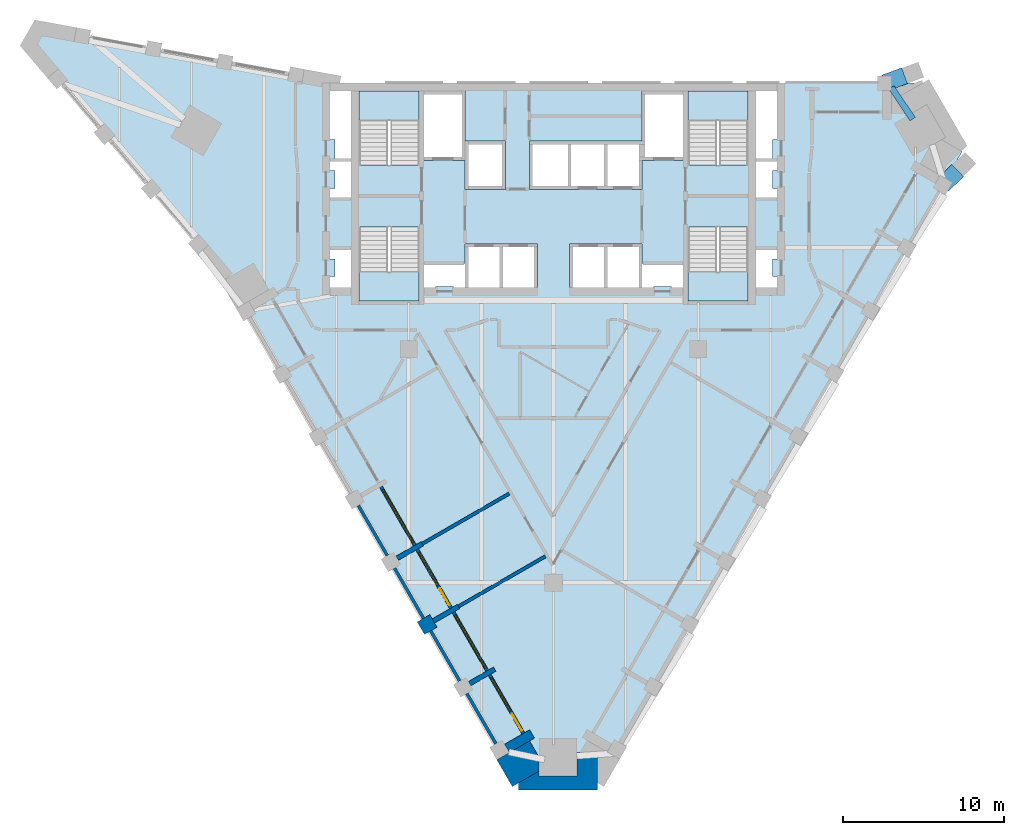
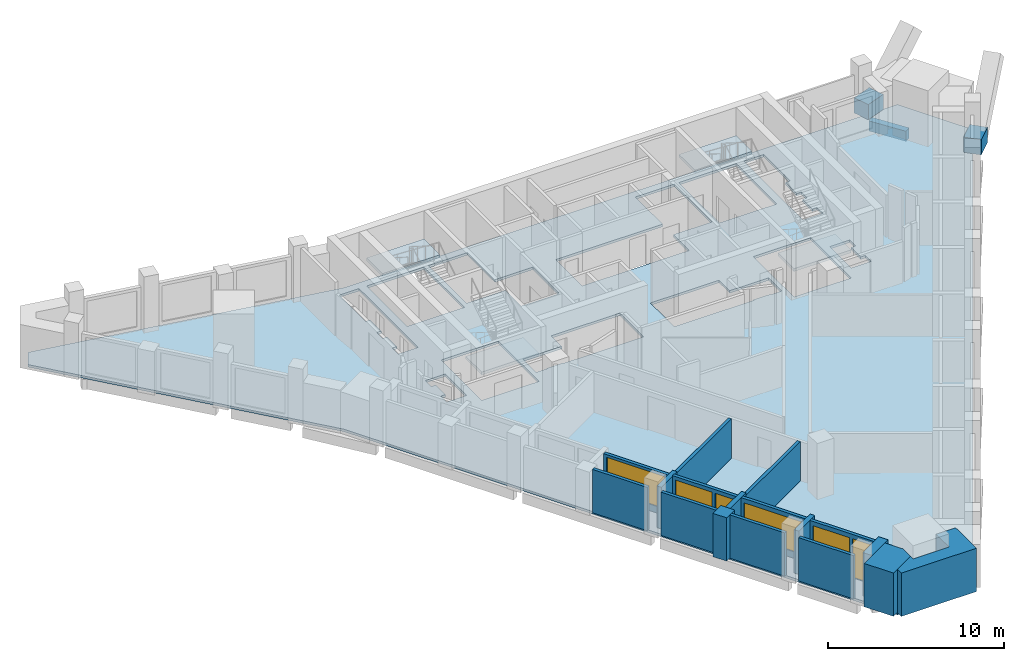
# One storey, part 2 of 9: 17 walls, 5 slabs, 4 windows, 3 beams, 2 doors, 6 openings, 4 elements without a shape of their own.
"""IFC4 building model written with IfcOpenShell, lengths in metres."""

from ifc_helpers import new_model, si_unit, direction, frame, frame_2d, origin, origin_2d, place, context, subcontext, project, spatial, polyline, rectangle, outline, extrude, material, layer, layer_set, material_profile, profile_set, type_object, element, fill, aggregate, save


model = new_model("IFC4")

# Units and contexts
model_context = context("Model", 3, precision=1e-05, world=origin(), true_north=direction((0.0, 1.0)))
body_context = subcontext(model_context, "Body", "Model", "MODEL_VIEW")
ifc_project = project(units=[si_unit("LENGTHUNIT", "METRE"), si_unit("AREAUNIT", "SQUARE_METRE"), si_unit("VOLUMEUNIT", "CUBIC_METRE"), si_unit("PLANEANGLEUNIT", "RADIAN"), si_unit("MASSUNIT", "GRAM", prefix="KILO")], contexts=[model_context])

# Site, building, storey
site_placement = place(None, origin())
site = spatial("IfcSite", under=ifc_project, at=site_placement, CompositionType="ELEMENT")
building_placement = place(site_placement, origin())
building = spatial("IfcBuilding", under=site, at=building_placement, Name="Calabash Gate Tower", CompositionType="ELEMENT")
storey_placement = place(building_placement, frame((0.0, 0.0, 231.5)))
storey = spatial("IfcBuildingStorey", under=building, at=storey_placement, Name="L55", CompositionType="ELEMENT", Elevation=231.5)

# Beams
ifc_material_1 = material(Name="Concrete C50/60", Category="concrete")
ifc_material_profile_1 = material_profile(ifc_material_1, rectangle(XDim=0.39990234375, YDim=0.699951171875, at=origin_2d()))
ifc_profile_set_1 = profile_set([ifc_material_profile_1], Name="Concrete C50/60")
beam_type_1 = type_object("IfcBeamType", Name="Edge beam RC 400x700 Concrete C50/60", PredefinedType="BEAM", material=ifc_profile_set_1)
beam_1_placement = place(storey_placement, frame((22.325927734375, 16.821044921875, -0.52001953125), z_axis=(-0.556658779258, 0.830741237375, 0.0), x_axis=(-0.830741237375, -0.556658779258, 0.0)))
element("IfcBeam", 1, at=beam_1_placement, inside=storey, type_object=beam_type_1, Name="Edge beam L55 12", PredefinedType="BEAM", context=body_context, shape_type="SweptSolid", body=[
    extrude(rectangle(XDim=0.39990234375, YDim=0.699951171875, at=origin_2d()), origin(), (0.0, 0.0, 1.0), 2.35693359375),
])
ifc_material_2 = material(Name="Concrete C80/95", Category="concrete")
ifc_material_profile_2 = material_profile(ifc_material_2, rectangle(XDim=1.050048828125, YDim=1.050048828125, at=origin_2d()))
ifc_profile_set_2 = profile_set([ifc_material_profile_2], Name="Concrete C80/95")
beam_type_2 = type_object("IfcBeamType", Name="Transfer node RC 1050x1050 Concrete C80/95", PredefinedType="BEAM", material=ifc_profile_set_2)
beam_2_placement = place(storey_placement, frame((24.196044921875, 12.708984375, 0.527099609375), z_axis=(0.715875786341, 0.698227655232, 0.0), x_axis=(-0.698227655232, 0.715875786341, 0.0)))
element("IfcBeam", 2, at=beam_2_placement, inside=storey, type_object=beam_type_2, Name="Transfer node L58 prow foot P37", PredefinedType="BEAM", context=body_context, shape_type="SweptSolid", body=[
    extrude(rectangle(XDim=1.050048828125, YDim=1.050048828125, at=origin_2d()), origin(), (0.0, 0.0, 1.0), 1.30029296875),
])
beam_3_placement = place(storey_placement, frame((20.576904296875, 19.052978515625, 0.527099609375), z_axis=(0.938718193279, 0.344685586595, 0.0), x_axis=(-0.344685586595, 0.938718193279, 0.0)))
element("IfcBeam", 3, at=beam_3_placement, inside=storey, type_object=beam_type_2, Name="Transfer node L58 prow foot P38", PredefinedType="BEAM", context=body_context, shape_type="SweptSolid", body=[
    extrude(rectangle(XDim=1.050048828125, YDim=1.050048828125, at=origin_2d()), origin(), (0.0, 0.0, 1.0), 1.33154296875),
])

# Slab
ifc_material_3 = material(Name="Concrete C40/50", Category="concrete")
ifc_layer_1 = layer(ifc_material_3, 0.169921875)
ifc_layer_set_1 = layer_set([ifc_layer_1], Name="Composite floor slab 170 Concrete C40/50")
slab_type_1 = type_object("IfcSlabType", Name="Composite floor slab 170 Concrete C40/50", PredefinedType="FLOOR", material=ifc_layer_set_1)
slab_1_placement = place(storey_placement, frame((0.0, 0.0, -0.169921875)))
element("IfcSlab", 4, at=slab_1_placement, inside=storey, type_object=slab_type_1, Name="Floor slab L55", PredefinedType="FLOOR", context=body_context, shape_type="SweptSolid", body=[
    extrude(outline(polyline([(2.740478515625, -24.452880859375), (-2.173095703125, -24.452880859375), (-20.291015625, 6.92822265625), (-32.620361328125, 21.43115234375), (-32.015625, 22.478515625), (-13.291015625, 19.052490234375), (22.94482421875, 19.052490234375), (25.401611328125, 14.79736328125), (2.740478515625, -24.452880859375)]), holes=[polyline([(-7.324951171875, 6.3525390625), (-7.324951171875, 6.402587890625), (-6.22509765625, 6.402587890625), (-6.22509765625, 6.3525390625), (-5.5, 6.3525390625), (-3.25, 6.3525390625), (-1.0, 6.3525390625), (-1.0, 9.052490234375), (-3.25, 9.052490234375), (-5.5, 9.052490234375), (-5.5, 7.8525390625), (-8.050048828125, 7.8525390625), (-8.050048828125, 6.3525390625), (-7.324951171875, 6.3525390625)]), polyline([(8.050048828125, 6.3525390625), (8.050048828125, 7.8525390625), (5.5, 7.8525390625), (5.5, 9.052490234375), (3.25, 9.052490234375), (1.0, 9.052490234375), (1.0, 6.3525390625), (3.25, 6.3525390625), (5.5, 6.3525390625), (6.22509765625, 6.3525390625), (6.22509765625, 6.402587890625), (7.324951171875, 6.402587890625), (7.324951171875, 6.3525390625), (8.050048828125, 6.3525390625)]), polyline([(-8.050048828125, 18.552490234375), (-8.050048828125, 14.252685546875), (-5.5, 14.252685546875), (-5.5, 12.45263671875), (-3.0, 12.45263671875), (-3.0, 15.45263671875), (-5.5, 15.45263671875), (-5.5, 18.552490234375), (-8.050048828125, 18.552490234375)]), polyline([(5.5, 14.252685546875), (8.050048828125, 14.252685546875), (8.050048828125, 18.552490234375), (5.5, 18.552490234375), (5.5, 15.45263671875), (3.25, 15.45263671875), (1.0, 15.45263671875), (-1.5, 15.45263671875), (-1.5, 12.45263671875), (1.0, 12.45263671875), (3.25, 12.45263671875), (5.5, 12.45263671875), (5.5, 14.252685546875)]), polyline([(-12.10009765625, 13.95263671875), (-8.35009765625, 13.95263671875), (-8.35009765625, 18.552490234375), (-12.10009765625, 18.552490234375), (-12.10009765625, 13.95263671875)]), polyline([(-8.35009765625, 5.502685546875), (-8.35009765625, 10.1025390625), (-12.10009765625, 10.1025390625), (-12.10009765625, 5.502685546875), (-8.35009765625, 5.502685546875)]), polyline([(12.10009765625, 18.552490234375), (8.35009765625, 18.552490234375), (8.35009765625, 13.95263671875), (12.10009765625, 13.95263671875), (12.10009765625, 18.552490234375)]), polyline([(8.35009765625, 10.1025390625), (8.35009765625, 5.502685546875), (12.10009765625, 5.502685546875), (12.10009765625, 10.1025390625), (8.35009765625, 10.1025390625)]), polyline([(-13.89990234375, 6.3525390625), (-12.60009765625, 6.3525390625), (-12.60009765625, 8.79248046875), (-13.89990234375, 8.79248046875), (-13.89990234375, 8.12255859375), (-13.60009765625, 8.12255859375), (-13.60009765625, 7.022705078125), (-13.89990234375, 7.022705078125), (-13.89990234375, 6.3525390625)]), polyline([(-13.89990234375, 12.5126953125), (-13.89990234375, 11.842529296875), (-12.60009765625, 11.842529296875), (-12.60009765625, 14.28271484375), (-12.60009765625, 18.552490234375), (-13.89990234375, 18.552490234375), (-13.89990234375, 15.550048828125), (-13.60009765625, 15.550048828125), (-13.60009765625, 14.28271484375), (-13.89990234375, 14.28271484375), (-13.89990234375, 13.612548828125), (-13.60009765625, 13.612548828125), (-13.60009765625, 12.5126953125), (-13.89990234375, 12.5126953125)]), polyline([(13.60009765625, 7.022705078125), (13.60009765625, 8.12255859375), (13.89990234375, 8.12255859375), (13.89990234375, 8.79248046875), (12.60009765625, 8.79248046875), (12.60009765625, 6.3525390625), (13.89990234375, 6.3525390625), (13.89990234375, 7.022705078125), (13.60009765625, 7.022705078125)]), polyline([(13.89990234375, 12.5126953125), (13.60009765625, 12.5126953125), (13.60009765625, 13.612548828125), (13.89990234375, 13.612548828125), (13.89990234375, 14.28271484375), (13.60009765625, 14.28271484375), (13.60009765625, 15.550048828125), (13.89990234375, 15.550048828125), (13.89990234375, 18.552490234375), (12.60009765625, 18.552490234375), (12.60009765625, 14.28271484375), (12.60009765625, 11.842529296875), (13.89990234375, 11.842529296875), (13.89990234375, 12.5126953125)])]), origin(), (0.0, 0.0, 1.0), 0.169921875),
])

# Stair, slab
ifc_material_4 = material(Name="Concrete C40/50", Category="concrete")
stair_type = type_object("IfcStairType", Name="Exit stair 22 risers of 177.3 mm", PredefinedType="HALF_TURN_STAIR", material=ifc_material_4)
stair_1_placement = place(storey_placement, origin())
stair_1 = element("IfcStair", 5, at=stair_1_placement, inside=storey, type_object=stair_type, Name="L55 Exit stair ST1", PredefinedType="HALF_TURN_STAIR")
ifc_material_5 = material(Name="Concrete C40/50", Category="concrete")
ifc_layer_2 = layer(ifc_material_5, 0.199951171875)
ifc_layer_set_2 = layer_set([ifc_layer_2], Name="Stair landing SL200")
slab_type_2 = type_object("IfcSlabType", Name="Stair landing SL200", PredefinedType="LANDING", material=ifc_layer_set_2)
slab_2_placement = place(storey_placement, frame((0.0, 0.0, 1.75)))
slab_2 = element("IfcSlab", 6, at=slab_2_placement, type_object=slab_type_2, Name="ST1 landing 1", PredefinedType="LANDING", context=body_context, shape_type="SweptSolid", body=[
    extrude(outline(polyline([(-8.35009765625, 16.74267578125), (-8.35009765625, 18.552490234375), (-12.10009765625, 18.552490234375), (-12.10009765625, 16.74267578125), (-8.35009765625, 16.74267578125)])), origin(), (0.0, 0.0, 1.0), 0.199951171875),
])
aggregate(stair_1, [slab_2])

stair_2_placement = place(storey_placement, origin())
stair_2 = element("IfcStair", 7, at=stair_2_placement, inside=storey, type_object=stair_type, Name="L55 Exit stair ST2", PredefinedType="HALF_TURN_STAIR")
slab_3_placement = place(storey_placement, frame((0.0, 0.0, 1.75)))
slab_3 = element("IfcSlab", 8, at=slab_3_placement, type_object=slab_type_2, Name="ST2 landing 1", PredefinedType="LANDING", context=body_context, shape_type="SweptSolid", body=[
    extrude(outline(polyline([(-12.10009765625, 7.3125), (-12.10009765625, 5.502685546875), (-8.35009765625, 5.502685546875), (-8.35009765625, 7.3125), (-12.10009765625, 7.3125)])), origin(), (0.0, 0.0, 1.0), 0.199951171875),
])
aggregate(stair_2, [slab_3])

stair_3_placement = place(storey_placement, origin())
stair_3 = element("IfcStair", 9, at=stair_3_placement, inside=storey, type_object=stair_type, Name="L55 Exit stair ST3", PredefinedType="HALF_TURN_STAIR")
slab_4_placement = place(storey_placement, frame((0.0, 0.0, 1.75)))
slab_4 = element("IfcSlab", 10, at=slab_4_placement, type_object=slab_type_2, Name="ST3 landing 1", PredefinedType="LANDING", context=body_context, shape_type="SweptSolid", body=[
    extrude(outline(polyline([(12.10009765625, 16.74267578125), (12.10009765625, 18.552490234375), (8.35009765625, 18.552490234375), (8.35009765625, 16.74267578125), (12.10009765625, 16.74267578125)])), origin(), (0.0, 0.0, 1.0), 0.199951171875),
])
aggregate(stair_3, [slab_4])

stair_4_placement = place(storey_placement, origin())
stair_4 = element("IfcStair", 11, at=stair_4_placement, inside=storey, type_object=stair_type, Name="L55 Exit stair ST4", PredefinedType="HALF_TURN_STAIR")
slab_5_placement = place(storey_placement, frame((0.0, 0.0, 1.75)))
slab_5 = element("IfcSlab", 12, at=slab_5_placement, type_object=slab_type_2, Name="ST4 landing 1", PredefinedType="LANDING", context=body_context, shape_type="SweptSolid", body=[
    extrude(outline(polyline([(8.35009765625, 7.3125), (8.35009765625, 5.502685546875), (12.10009765625, 5.502685546875), (12.10009765625, 7.3125), (8.35009765625, 7.3125)])), origin(), (0.0, 0.0, 1.0), 0.199951171875),
])
aggregate(stair_4, [slab_5])

# Walls
ifc_material_6 = material(Name="Terracotta brick masonry, exposed face", Category="masonry")
ifc_layer_3 = layer(ifc_material_6, 2.35009765625)
ifc_layer_set_3 = layer_set([ifc_layer_3], Name="Brick corner mass wall 2350")
wall_type_1 = type_object("IfcWallType", Name="Brick corner mass wall 2350", PredefinedType="SOLIDWALL", material=ifc_layer_set_3)
wall_1_placement = place(storey_placement, origin())
element("IfcWall", 13, at=wall_1_placement, inside=storey, type_object=wall_type_1, Name="Brick corner pier S16 2a", PredefinedType="SOLIDWALL", context=body_context, shape_type="SweptSolid", body=[
    extrude(outline(polyline([(-0.89111328125, -22.87353515625), (-1.486572265625, -21.842041015625), (-3.521728515625, -23.01708984375), (-2.562744140625, -24.677978515625), (-0.89111328125, -23.712646484375), (-0.89111328125, -22.87353515625)])), origin(), (0.0, 0.0, 1.0), 3.0),
])
wall_2_placement = place(storey_placement, origin())
element("IfcWall", 14, at=wall_2_placement, inside=storey, type_object=wall_type_1, Name="Brick corner pier S16 2b", PredefinedType="SOLIDWALL", context=body_context, shape_type="SweptSolid", body=[
    extrude(outline(polyline([(1.458984375, -24.011962890625), (-0.89111328125, -24.011962890625), (-0.89111328125, -23.712646484375), (-2.173095703125, -24.452880859375), (-2.173095703125, -24.90283203125), (2.740478515625, -24.90283203125), (2.740478515625, -22.552978515625), (1.458984375, -22.552978515625), (1.458984375, -24.011962890625)])), origin(), (0.0, 0.0, 1.0), 3.0),
])
ifc_material_7 = material(Name="Terracotta brick masonry, exposed face", Category="masonry")
ifc_layer_4 = layer(ifc_material_7, 0.89990234375)
ifc_layer_set_4 = layer_set([ifc_layer_4], Name="Brick end wall 900")
wall_type_2 = type_object("IfcWallType", Name="Brick end wall 900", PredefinedType="SOLIDWALL", material=ifc_layer_set_4)
wall_3_placement = place(storey_placement, frame((-7.46728515625, -14.383056640625, 0.0), z_axis=(0.0, 0.0, 1.0), x_axis=(-0.866013897511, -0.50001992892, 0.0)))
element("IfcWall", 15, at=wall_3_placement, inside=storey, type_object=wall_type_2, Name="Brick pier S16 SW0.5", PredefinedType="SOLIDWALL", context=body_context, shape_type="SweptSolid", body=[
    extrude(rectangle(XDim=0.89990234375, YDim=0.89990234375, at=frame_2d((0.449951171875, 0.0))), origin(), (0.0, 0.0, 1.0), 3.0),
])
ifc_material_8 = material(Name="Terracotta brick masonry, exposed face", Category="masonry")
ifc_layer_5 = layer(ifc_material_8, 0.300048828125)
ifc_layer_set_5 = layer_set([ifc_layer_5], Name="Brick loggia cheek wall 300")
wall_type_3 = type_object("IfcWallType", Name="Brick loggia cheek wall 300", PredefinedType="SOLIDWALL", material=ifc_layer_set_5)
wall_4_placement = place(storey_placement, frame((-9.71728515625, -10.48583984375, 0.0), z_axis=(0.0, 0.0, 1.0), x_axis=(0.866047807691, 0.499961193289, 0.0)))
element("IfcWall", 16, at=wall_4_placement, inside=storey, type_object=wall_type_3, Name="Loggia cheek S16 SW0.4", PredefinedType="SOLIDWALL", context=body_context, shape_type="SweptSolid", body=[
    extrude(rectangle(XDim=1.800048828125, YDim=0.300048828125, at=frame_2d((0.89990234375, 0.0))), origin(), (0.0, 0.0, 1.0), 2.884033203125),
])
wall_5_placement = place(storey_placement, frame((-7.46728515625, -14.383056640625, 0.0), z_axis=(0.0, 0.0, 1.0), x_axis=(0.865989075817, 0.500062916607, 0.0)))
element("IfcWall", 17, at=wall_5_placement, inside=storey, type_object=wall_type_3, Name="Loggia cheek S16 SW0.5", PredefinedType="SOLIDWALL", context=body_context, shape_type="SweptSolid", body=[
    extrude(rectangle(XDim=1.800048828125, YDim=0.300048828125, at=frame_2d((0.89990234375, 0.0))), origin(), (0.0, 0.0, 1.0), 3.0),
])
wall_6_placement = place(storey_placement, frame((-3.658447265625, -17.380126953125, 0.0), z_axis=(0.0, 0.0, 1.0), x_axis=(-0.866029639064, -0.499992664208, 0.0)))
element("IfcWall", 18, at=wall_6_placement, inside=storey, type_object=wall_type_3, Name="Loggia cheek S16 SW0.6", PredefinedType="SOLIDWALL", context=body_context, shape_type="SweptSolid", body=[
    extrude(rectangle(XDim=1.798828125, YDim=0.300048828125, at=frame_2d((0.8994140625, 0.0))), origin(), (0.0, 0.0, 1.0), 3.0),
])
wall_7_placement = place(storey_placement, frame((-1.33349609375, -21.4072265625, 0.0), z_axis=(0.0, 0.0, 1.0), x_axis=(-0.866047807691, -0.499961193289, 0.0)))
element("IfcWall", 19, at=wall_7_placement, inside=storey, type_object=wall_type_3, Name="Loggia cheek S16 SW0.7", PredefinedType="SOLIDWALL", context=body_context, shape_type="SweptSolid", body=[
    extrude(rectangle(XDim=1.800048828125, YDim=0.60009765625, at=frame_2d((0.89990234375, 0.0))), origin(), (0.0, 0.0, 1.0), 3.0),
])
ifc_material_9 = material(Name="Gypsum board on steel studs, mineral wool", Category="steel")
ifc_layer_6 = layer(ifc_material_9, 0.199951171875)
ifc_layer_set_6 = layer_set([ifc_layer_6], Name="Partition 200 gypsum board EI 60")
wall_type_4 = type_object("IfcWallType", Name="Partition 200 gypsum board EI 60", PredefinedType="PARTITIONING", material=ifc_layer_set_6)
wall_8_placement = place(storey_placement, frame((-5.908203125, -13.4833984375, 0.0), z_axis=(0.0, 0.0, 1.0), x_axis=(0.866160870949, 0.499765290549, 0.0)))
element("IfcWall", 20, at=wall_8_placement, inside=storey, type_object=wall_type_4, Name="Partition", PredefinedType="PARTITIONING", context=body_context, shape_type="SweptSolid", body=[
    extrude(rectangle(XDim=6.24951171875, YDim=0.199951171875, at=frame_2d((3.124755859375, 0.0))), origin(), (0.0, 0.0, 1.0), 2.74169921875),
])
wall_9_placement = place(storey_placement, frame((-8.158203125, -9.586181640625, 0.0), z_axis=(0.0, 0.0, 1.0), x_axis=(0.866153717883, 0.499777687575, 0.0)))
element("IfcWall", 21, at=wall_9_placement, inside=storey, type_object=wall_type_4, Name="Partition", PredefinedType="PARTITIONING", context=body_context, shape_type="SweptSolid", body=[
    extrude(rectangle(XDim=6.249755859375, YDim=0.199951171875, at=frame_2d((3.125, 0.0))), origin(), (0.0, 0.0, 1.0), 2.74169921875),
])
ifc_material_10 = material(Name="Terracotta brick masonry, perforated", Category="masonry")
ifc_layer_7 = layer(ifc_material_10, 0.199951171875)
ifc_layer_set_7 = layer_set([ifc_layer_7], Name="Terracotta jaali screen B")
wall_type_5 = type_object("IfcWallType", Name="Terracotta jaali screen B", PredefinedType="SOLIDWALL", material=ifc_layer_set_7)
for number, where, z_axis, x_axis, name in (
    (22, (-12.132080078125, -7.20361328125, 0.0), (0.0, 0.0, 1.0), (0.500012057535, -0.866018442252, 0.0), "SCREEN B S16 SW0.4"),
    (23, (-9.882080078125, -11.1005859375, 0.0), (0.0, 0.0, 1.0), (0.500012057535, -0.866018442252, 0.0), "SCREEN B S16 SW0.5"),
):
    element("IfcWall", number, at=place(storey_placement, frame(where, z_axis=z_axis, x_axis=x_axis)), inside=storey, type_object=wall_type_5, Name=name, PredefinedType="SOLIDWALL", context=body_context, shape_type="SweptSolid", body=[
        extrude(rectangle(XDim=3.60009765625, YDim=0.199951171875, at=frame_2d((1.800048828125, 0.0))), origin(), (0.0, 0.0, 1.0), 3.0),
    ])
wall_10_placement = place(storey_placement, origin())
element("IfcWall", 24, at=wall_10_placement, inside=storey, type_object=wall_type_5, Name="SCREEN B S16 SW0.6", PredefinedType="SOLIDWALL", context=body_context, shape_type="SweptSolid", body=[
    extrude(outline(polyline([(-7.718505859375, -15.0478515625), (-5.91943359375, -18.163818359375), (-5.746337890625, -18.063720703125), (-7.54541015625, -14.94775390625), (-7.718505859375, -15.0478515625)])), origin(), (0.0, 0.0, 1.0), 3.0),
])
wall_11_placement = place(storey_placement, frame((-5.382080078125, -18.894775390625, 0.0), z_axis=(0.0, 0.0, 1.0), x_axis=(0.500012057535, -0.866018442252, 0.0)))
element("IfcWall", 25, at=wall_11_placement, inside=storey, type_object=wall_type_5, Name="SCREEN B S16 SW0.7", PredefinedType="SOLIDWALL", context=body_context, shape_type="SweptSolid", body=[
    extrude(rectangle(XDim=3.60009765625, YDim=0.199951171875, at=frame_2d((1.800048828125, 0.0))), origin(), (0.0, 0.0, 1.0), 3.0),
])

# Wall, opening, window
ifc_material_11 = material(Name="Aluminium framed window wall with insulated spandrel", Category="aluminium")
ifc_layer_8 = layer(ifc_material_11, 0.199951171875)
ifc_layer_set_8 = layer_set([ifc_layer_8], Name="Window wall 200")
wall_type_6 = type_object("IfcWallType", Name="Window wall 200", PredefinedType="ELEMENTEDWALL", material=ifc_layer_set_8)
wall_12_placement = place(storey_placement, frame((-10.72314453125, -6.043701171875, 0.0), z_axis=(0.0, 0.0, 1.0), x_axis=(0.500027713859, -0.866009402589, 0.0)))
wall_12 = element("IfcWall", 26, at=wall_12_placement, inside=storey, type_object=wall_type_6, Name="Window wall S16 SW0.4", PredefinedType="ELEMENTEDWALL", context=body_context, shape_type="SweptSolid", body=[
    extrude(rectangle(XDim=4.199951171875, YDim=0.199951171875, at=frame_2d((2.10009765625, 0.0))), origin(), (0.0, 0.0, 1.0), 2.884033203125),
])
opening_1_placement = place(wall_12_placement, frame((0.199951171875, 0.0, 0.449951171875)))
opening_1 = element("IfcOpeningElement", 27, at=opening_1_placement, cuts=wall_12, Name="Opening OW2", PredefinedType="OPENING", context=body_context, shape_type="SweptSolid", body=[
    extrude(rectangle(XDim=3.800048828125, YDim=2.25, at=frame_2d((1.89990234375, 1.125))), frame((0.0, 0.10986328125, 0.0), z_axis=(0.0, -1.0, 0.0), x_axis=(1.0, 0.0, 0.0)), (0.0, 0.0, 1.0), 0.219970703125),
])
ifc_material_12 = material(Name="Anodised aluminium frame, bronze finish, impact-rated laminated clear glazing", Category="aluminium")
window_type_1 = type_object("IfcWindowType", Name="Window OW2 3800x2250", PartitioningType="TRIPLE_PANEL_VERTICAL", PredefinedType="WINDOW", material=ifc_material_12)
window_1_placement = place(opening_1_placement, origin())
window_1 = element("IfcWindow", 28, at=window_1_placement, inside=storey, type_object=window_type_1, Name="Window OW2 S16 SW0.4", OverallHeight=2.25, OverallWidth=3.800048828125, PartitioningType="SINGLE_PANEL", PredefinedType="WINDOW", context=body_context, shape_type="SweptSolid", body=[
    extrude(rectangle(XDim=3.800048828125, YDim=2.25, at=frame_2d((1.89990234375, 1.125))), frame((0.0, 0.030029296875, 0.0), z_axis=(0.0, -1.0, 0.0), x_axis=(1.0, 0.0, 0.0)), (0.0, 0.0, 1.0), 0.06005859375),
])
fill(opening_1, window_1)

# Wall, openings, door, window
wall_13_placement = place(storey_placement, frame((-8.47314453125, -9.94091796875, 0.0), z_axis=(0.0, 0.0, 1.0), x_axis=(0.500027713859, -0.866009402589, 0.0)))
wall_13 = element("IfcWall", 29, at=wall_13_placement, inside=storey, type_object=wall_type_6, Name="Window wall S16 SW0.5", PredefinedType="ELEMENTEDWALL", context=body_context, shape_type="SweptSolid", body=[
    extrude(rectangle(XDim=4.199951171875, YDim=0.199951171875, at=frame_2d((2.10009765625, 0.0))), origin(), (0.0, 0.0, 1.0), 2.9501953125),
])
opening_2_placement = place(wall_13_placement, frame((0.199951171875, 0.0, 0.449951171875)))
opening_2 = element("IfcOpeningElement", 30, at=opening_2_placement, cuts=wall_13, Name="Opening OW1", PredefinedType="OPENING", context=body_context, shape_type="SweptSolid", body=[
    extrude(rectangle(XDim=2.39990234375, YDim=2.25, at=frame_2d((1.199951171875, 1.125))), frame((0.0, 0.10986328125, 0.0), z_axis=(0.0, -1.0, 0.0), x_axis=(1.0, 0.0, 0.0)), (0.0, 0.0, 1.0), 0.219970703125),
])
opening_3_placement = place(wall_13_placement, frame((2.800048828125, 0.0, 0.0)))
opening_3 = element("IfcOpeningElement", 31, at=opening_3_placement, cuts=wall_13, Name="Opening O8-028", PredefinedType="OPENING", context=body_context, shape_type="SweptSolid", body=[
    extrude(rectangle(XDim=1.199951171875, YDim=2.699951171875, at=frame_2d((0.60009765625, 1.35009765625))), frame((0.0, 0.10986328125, 0.0), z_axis=(0.0, -1.0, 0.0), x_axis=(1.0, 0.0, 0.0)), (0.0, 0.0, 1.0), 0.219970703125),
])
ifc_material_13 = material(Name="Anodised aluminium frame, bronze finish, impact-rated laminated clear glazing", Category="aluminium")
door_type = type_object("IfcDoorType", Name="Loggia door DO1 1200x2700", OperationType="SLIDING_TO_LEFT", PredefinedType="DOOR", material=ifc_material_13)
door_1_placement = place(opening_3_placement, origin())
door_1 = element("IfcDoor", 32, at=door_1_placement, inside=storey, type_object=door_type, Name="Loggia door S16 SW0.5", OperationType="SINGLE_SWING_LEFT", OverallHeight=2.699951171875, OverallWidth=1.199951171875, PredefinedType="DOOR", context=body_context, shape_type="SweptSolid", body=[
    extrude(rectangle(XDim=1.199951171875, YDim=2.699951171875, at=frame_2d((0.60009765625, 1.35009765625))), frame((0.0, 0.02490234375, 0.0), z_axis=(0.0, -1.0, 0.0), x_axis=(1.0, 0.0, 0.0)), (0.0, 0.0, 1.0), 0.050048828125),
])
fill(opening_3, door_1)
ifc_material_14 = material(Name="Anodised aluminium frame, bronze finish, impact-rated laminated clear glazing", Category="aluminium")
window_type_2 = type_object("IfcWindowType", Name="Window OW1 2400x2250", PartitioningType="DOUBLE_PANEL_VERTICAL", PredefinedType="WINDOW", material=ifc_material_14)
window_2_placement = place(opening_2_placement, origin())
window_2 = element("IfcWindow", 33, at=window_2_placement, inside=storey, type_object=window_type_2, Name="Window OW1 S16 SW0.5", OverallHeight=2.25, OverallWidth=2.39990234375, PartitioningType="SINGLE_PANEL", PredefinedType="WINDOW", context=body_context, shape_type="SweptSolid", body=[
    extrude(rectangle(XDim=2.39990234375, YDim=2.25, at=frame_2d((1.199951171875, 1.125))), frame((0.0, 0.030029296875, 0.0), z_axis=(0.0, -1.0, 0.0), x_axis=(1.0, 0.0, 0.0)), (0.0, 0.0, 1.0), 0.06005859375),
])
fill(opening_2, window_2)

# Wall, opening, window
wall_14_placement = place(storey_placement, frame((-6.22314453125, -13.837890625, 0.0), z_axis=(0.0, 0.0, 1.0), x_axis=(0.500002543286, -0.866023935413, 0.0)))
wall_14 = element("IfcWall", 34, at=wall_14_placement, inside=storey, type_object=wall_type_6, Name="Window wall S16 SW0.6", PredefinedType="ELEMENTEDWALL", context=body_context, shape_type="SweptSolid", body=[
    extrude(rectangle(XDim=4.2001953125, YDim=0.199951171875, at=frame_2d((2.10009765625, 0.0))), origin(), (0.0, 0.0, 1.0), 3.0),
])
opening_4_placement = place(wall_14_placement, frame((0.199951171875, 0.0, 0.449951171875)))
opening_4 = element("IfcOpeningElement", 35, at=opening_4_placement, cuts=wall_14, Name="Opening OW2", PredefinedType="OPENING", context=body_context, shape_type="SweptSolid", body=[
    extrude(rectangle(XDim=3.800048828125, YDim=2.25, at=frame_2d((1.89990234375, 1.125))), frame((0.0, 0.10986328125, 0.0), z_axis=(0.0, -1.0, 0.0), x_axis=(1.0, 0.0, 0.0)), (0.0, 0.0, 1.0), 0.219970703125),
])
window_3_placement = place(opening_4_placement, origin())
window_3 = element("IfcWindow", 36, at=window_3_placement, inside=storey, type_object=window_type_1, Name="Window OW2 S16 SW0.6", OverallHeight=2.25, OverallWidth=3.800048828125, PartitioningType="SINGLE_PANEL", PredefinedType="WINDOW", context=body_context, shape_type="SweptSolid", body=[
    extrude(rectangle(XDim=3.800048828125, YDim=2.25, at=frame_2d((1.89990234375, 1.125))), frame((0.0, 0.030029296875, 0.0), z_axis=(0.0, -1.0, 0.0), x_axis=(1.0, 0.0, 0.0)), (0.0, 0.0, 1.0), 0.06005859375),
])
fill(opening_4, window_3)

# Wall, openings, door, window
wall_15_placement = place(storey_placement, frame((-3.97314453125, -17.735107421875, 0.0), z_axis=(0.0, 0.0, 1.0), x_axis=(0.500027713859, -0.866009402589, 0.0)))
wall_15 = element("IfcWall", 37, at=wall_15_placement, inside=storey, type_object=wall_type_6, Name="Window wall S16 SW0.7", PredefinedType="ELEMENTEDWALL", context=body_context, shape_type="SweptSolid", body=[
    extrude(rectangle(XDim=4.199951171875, YDim=0.199951171875, at=frame_2d((2.10009765625, 0.0))), origin(), (0.0, 0.0, 1.0), 3.0),
])
opening_5_placement = place(wall_15_placement, frame((0.199951171875, 0.0, 0.449951171875)))
opening_5 = element("IfcOpeningElement", 38, at=opening_5_placement, cuts=wall_15, Name="Opening OW1", PredefinedType="OPENING", context=body_context, shape_type="SweptSolid", body=[
    extrude(rectangle(XDim=2.39990234375, YDim=2.25, at=frame_2d((1.199951171875, 1.125))), frame((0.0, 0.10986328125, 0.0), z_axis=(0.0, -1.0, 0.0), x_axis=(1.0, 0.0, 0.0)), (0.0, 0.0, 1.0), 0.219970703125),
])
opening_6_placement = place(wall_15_placement, frame((2.800048828125, 0.0, 0.0)))
opening_6 = element("IfcOpeningElement", 39, at=opening_6_placement, cuts=wall_15, Name="Opening O8-029", PredefinedType="OPENING", context=body_context, shape_type="SweptSolid", body=[
    extrude(rectangle(XDim=1.199951171875, YDim=2.699951171875, at=frame_2d((0.60009765625, 1.35009765625))), frame((0.0, 0.10986328125, 0.0), z_axis=(0.0, -1.0, 0.0), x_axis=(1.0, 0.0, 0.0)), (0.0, 0.0, 1.0), 0.219970703125),
])
door_2_placement = place(opening_6_placement, origin())
door_2 = element("IfcDoor", 40, at=door_2_placement, inside=storey, type_object=door_type, Name="Loggia door S16 SW0.7", OperationType="SINGLE_SWING_LEFT", OverallHeight=2.699951171875, OverallWidth=1.199951171875, PredefinedType="DOOR", context=body_context, shape_type="SweptSolid", body=[
    extrude(rectangle(XDim=1.199951171875, YDim=2.699951171875, at=frame_2d((0.60009765625, 1.35009765625))), frame((0.0, 0.02490234375, 0.0), z_axis=(0.0, -1.0, 0.0), x_axis=(1.0, 0.0, 0.0)), (0.0, 0.0, 1.0), 0.050048828125),
])
fill(opening_6, door_2)
window_4_placement = place(opening_5_placement, origin())
window_4 = element("IfcWindow", 41, at=window_4_placement, inside=storey, type_object=window_type_2, Name="Window OW1 S16 SW0.7", OverallHeight=2.25, OverallWidth=2.39990234375, PartitioningType="SINGLE_PANEL", PredefinedType="WINDOW", context=body_context, shape_type="SweptSolid", body=[
    extrude(rectangle(XDim=2.39990234375, YDim=2.25, at=frame_2d((1.199951171875, 1.125))), frame((0.0, 0.030029296875, 0.0), z_axis=(0.0, -1.0, 0.0), x_axis=(1.0, 0.0, 0.0)), (0.0, 0.0, 1.0), 0.06005859375),
])
fill(opening_5, window_4)

save(model, "model.ifc")
